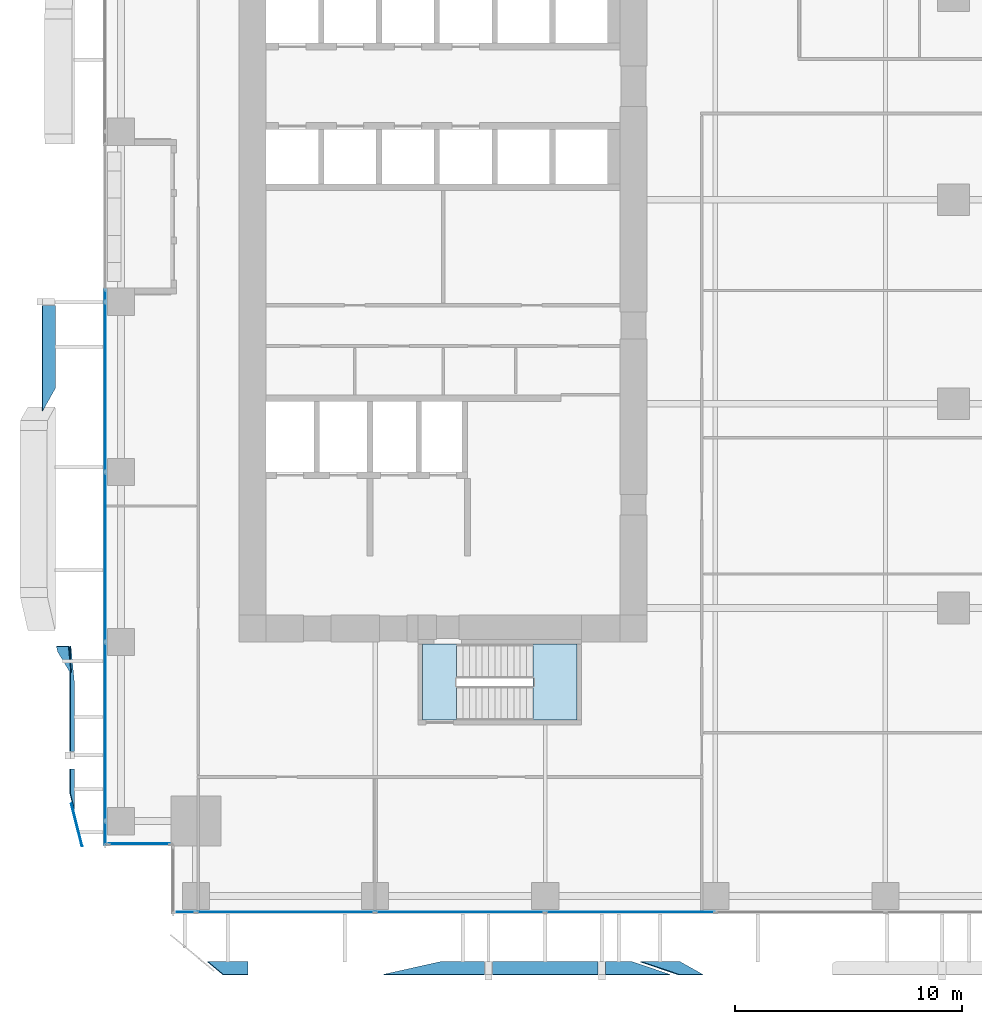
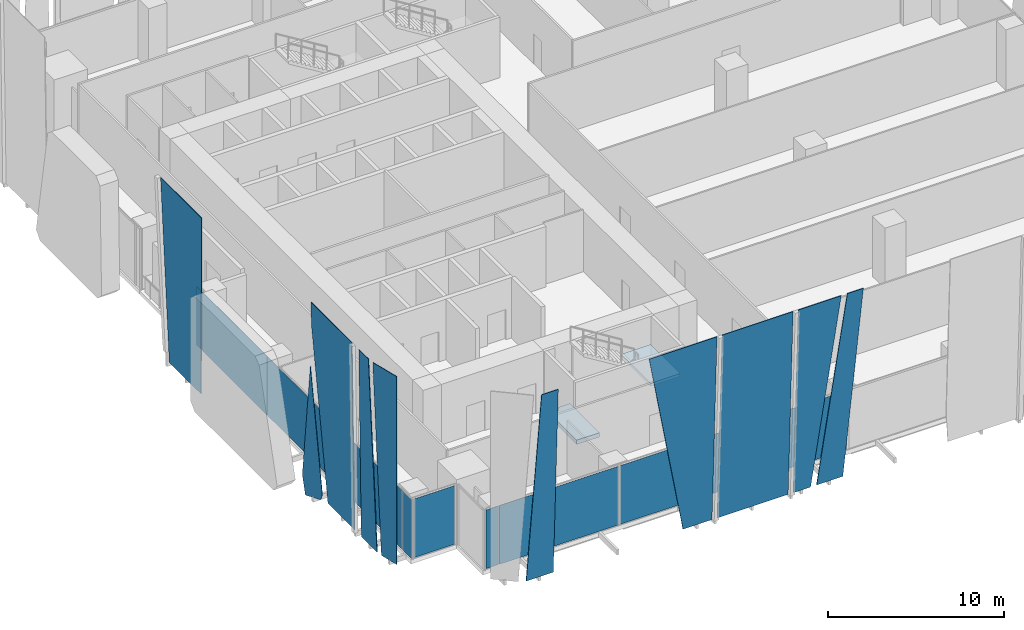
# One storey, part 24 of 37: 20 plates, 2 slabs, 4 elements without a shape of their own.
"""IFC4 building model written with IfcOpenShell, lengths in metres."""

from ifc_helpers import new_model, si_unit, direction, frame, origin, origin_2d, place, context, subcontext, project, spatial, polyline, rectangle, outline, extrude, source, transform, mapped, material, layer, layer_set, type_object, element, aggregate, save


model = new_model("IFC4")

# Units and contexts
model_context = context("Model", 3, precision=1e-05, world=origin(), true_north=direction((0.0, 1.0)))
body_context = subcontext(model_context, "Body", "Model", "MODEL_VIEW")
ifc_project = project(units=[si_unit("LENGTHUNIT", "METRE"), si_unit("AREAUNIT", "SQUARE_METRE"), si_unit("VOLUMEUNIT", "CUBIC_METRE"), si_unit("PLANEANGLEUNIT", "RADIAN"), si_unit("MASSUNIT", "GRAM", prefix="KILO")], contexts=[model_context])

# Site, building, storey
site_placement = place(None, origin())
site = spatial("IfcSite", under=ifc_project, at=site_placement, CompositionType="ELEMENT")
building_placement = place(site_placement, origin())
building = spatial("IfcBuilding", under=site, at=building_placement, Name="Khomas Fold Tower", CompositionType="ELEMENT")
storey_placement = place(building_placement, frame((0.0, 0.0, 60.0)))
storey = spatial("IfcBuildingStorey", under=building, at=storey_placement, Name="L12", CompositionType="ELEMENT", Elevation=60.0)

# Plates
ifc_material_1 = material(Name="Clear laminated glass", Category="glass")
ifc_layer_1 = layer(ifc_material_1, 0.0400390625)
ifc_layer_set_1 = layer_set([ifc_layer_1], Name="Clear laminated glass")
plate_type_1 = type_object("IfcPlateType", Name="SK-Clear laminated glass leaf", PredefinedType="SHEET", material=ifc_layer_set_1)
plate_1_placement = place(storey_placement, frame((6.39990234375, -2.08251953125, 0.0), z_axis=(0.0, 0.99904235518, 0.043753543365), x_axis=(-1.0, 0.0, 0.0)))
element("IfcPlate", 1, at=plate_1_placement, inside=storey, type_object=plate_type_1, Name="OUTER SKIN glass L12 SG098-1", PredefinedType="SHEET", context=body_context, shape_type="SweptSolid", body=[
    extrude(outline(polyline([(0.0, 0.0), (1.78076171875, 0.0), (1.0947265625, 13.062558119247585), (0.0, 13.062558119247585), (0.0, 0.0)])), origin(), (0.0, 0.0, -1.0), 0.0400390625),
])
plate_2_placement = place(storey_placement, frame((25.4267578125, -2.08251953125, 0.0), z_axis=(0.0, 0.99904235518, 0.043753543365), x_axis=(-1.0, 0.0, 0.0)))
element("IfcPlate", 2, at=plate_2_placement, inside=storey, type_object=plate_type_1, Name="OUTER SKIN glass L12 SG102-3", PredefinedType="SHEET", context=body_context, shape_type="SweptSolid", body=[
    extrude(outline(polyline([(0.0, 0.0), (1.718017578125, 0.0), (0.029296875, 13.062558119247587), (-1.022216796875, 13.062558119247587), (0.0, 0.0)])), origin(), (0.0, 0.0, -1.0), 0.0400390625),
])
plate_3_placement = place(storey_placement, frame((14.9296875, -2.08251953125, 0.0), z_axis=(0.0, 0.99904235518, 0.043753543365), x_axis=(-0.191972378581, -0.042939741855, 0.98046049611)))
element("IfcPlate", 3, at=plate_3_placement, inside=storey, type_object=plate_type_1, Name="OUTER SKIN glass L12 SG100-4", PredefinedType="SHEET", context=body_context, shape_type="SweptSolid", body=[
    extrude(outline(polyline([(0.0, 0.0), (13.310122008900128, 4.440892098500626e-16), (12.454776327967345, 4.3726943372036855), (-0.36482250851401543, 1.865043984701013), (0.0, 0.0)])), origin(), (0.0, 0.0, -1.0), 0.0400390625),
])
plate_4_placement = place(storey_placement, frame((17.169921875, -2.08251953125, 0.0), z_axis=(0.0, 0.99904235518, 0.043753543365), x_axis=(0.0, -0.043753543365, 0.99904235518)))
element("IfcPlate", 4, at=plate_4_placement, inside=storey, type_object=plate_type_1, Name="OUTER SKIN glass L12 SG101-6", PredefinedType="SHEET", context=body_context, shape_type="SweptSolid", body=[
    extrude(outline(polyline([(0.0, 0.0), (13.062558119247587, 0.0), (13.062558119247587, 4.66015625), (0.0, 4.66015625), (0.0, 0.0)])), origin(), (0.0, 0.0, -1.0), 0.0400390625),
])
plate_5_placement = place(storey_placement, frame((23.30517578125, -2.08251953125, 0.0), z_axis=(0.0, 0.99904235518, 0.043753543365), x_axis=(-1.0, 0.0, 0.0)))
element("IfcPlate", 5, at=plate_5_placement, inside=storey, type_object=plate_type_1, Name="OUTER SKIN glass L12 SG102-8", PredefinedType="SHEET", context=body_context, shape_type="SweptSolid", body=[
    extrude(outline(polyline([(0.0, 0.0), (1.13525390625, 0.0), (1.13525390625, 13.062558119247585), (-1.68896484375, 13.062558119247585), (0.0, 0.0)])), origin(), (0.0, 0.0, -1.0), 0.0400390625),
])
plate_6_placement = place(storey_placement, frame((-1.254638671875, 6.39990234375, 0.0), z_axis=(0.999913527075, 0.0, 0.013150603512), x_axis=(0.0, -1.0, 0.0)))
element("IfcPlate", 6, at=plate_6_placement, inside=storey, type_object=plate_type_1, Name="OUTER SKIN glass L12 WG098-1", PredefinedType="SHEET", context=body_context, shape_type="SweptSolid", body=[
    extrude(outline(polyline([(0.0, 0.0), (1.78076171875, 0.0), (1.0947265625, -13.051177401611568), (0.0, -13.051177401611568), (0.0, 0.0)])), origin(), (0.0, 0.0, -1.0), 0.0400390625),
])
plate_7_placement = place(storey_placement, frame((-1.376220703125, 4.904541015625, 13.050048828125), z_axis=(0.970129116395, 0.242589153705, 5.311545e-06), x_axis=(0.01312734053, -0.052475188216, -0.998535942043)))
element("IfcPlate", 7, at=plate_7_placement, inside=storey, type_object=plate_type_1, Name="OUTER SKIN glass L12 WG098-2", PredefinedType="SHEET", context=body_context, shape_type="SweptSolid", body=[
    extrude(outline(polyline([(0.0, 0.0), (13.069182869661127, 0.0), (13.137136741867256, -1.2544195078217437), (0.10619394156444673, -1.9603261212476633), (0.0, 0.0)])), origin(), (0.0, 0.0, -1.0), 0.0400390625),
])
plate_8_placement = place(storey_placement, frame((-1.254638671875, 10.20458984375, 0.0), z_axis=(0.999913521121, -3.630816e-06, 0.013151055681), x_axis=(-3.630502e-06, -0.999999999993, -4.7749e-08)))
element("IfcPlate", 8, at=plate_8_placement, inside=storey, type_object=plate_type_1, Name="OUTER SKIN glass L12 WG099-4", PredefinedType="SHEET", context=body_context, shape_type="SweptSolid", body=[
    extrude(outline(polyline([(0.0, 0.0), (3.0346679687299973, -2.0081748074285418e-23), (3.0346679687085687, -13.051177401610234), (-1.625488281260714, -13.051177401610234), (-1.6254882813621536, -11.53102604196463), (0.0, 0.0)])), origin(), (0.0, 0.0, -1.0), 0.0400390625),
])
plate_9_placement = place(storey_placement, frame((-1.99462890625, 11.561767578125, 0.00244140625), z_axis=(-0.855899223322, -0.51351029204, 0.061185778461), x_axis=(0.514474294115, -0.857505802134, 1.534219e-06)))
element("IfcPlate", 9, at=plate_9_placement, inside=storey, type_object=plate_type_1, Name="OUTER SKIN glass L12 WG099-5", PredefinedType="SHEET", context=body_context, shape_type="SweptSolid", body=[
    extrude(outline(polyline([(0.0, 0.0), (0.9609112616658309, 3.469446951953614e-18), (1.0078891432317691, 0.04501191390445132), (1.0252232275310489, 0.09760362541417716), (1.041719918053912, 0.15948604061176724), (1.0637015507310672, 0.24802471269793766), (1.074545820850679, 0.2947449708503985), (1.0864787055430158, 0.3869593856419874), (0.02968566915562087, 8.681057390938134), (-0.24150484592150526, 1.2917328566879998), (0.0, 0.0)])), origin(), (0.0, 0.0, -1.0), 0.0400390625),
])
plate_10_placement = place(storey_placement, frame((-2.08251953125, 23.208251953125, 0.0), z_axis=(0.99904235518, 0.0, 0.043753543365), x_axis=(-0.043620183951, -0.078016962923, 0.995997305743)))
element("IfcPlate", 10, at=plate_10_placement, inside=storey, type_object=plate_type_1, Name="OUTER SKIN glass L12 WG102-6", PredefinedType="SHEET", context=body_context, shape_type="SweptSolid", body=[
    extrude(outline(polyline([(0.0, 0.0), (13.102494106029372, -2.220446049250313e-16), (12.740179977921429, -4.629888072963503), (-0.28256387816640377, -3.610786960488569), (0.0, 0.0)])), origin(), (0.0, 0.0, -1.0), 0.0400390625),
])

# Curtain wall, plates
ifc_material_2 = material(Name="Aluminium framed double glazing", Category="aluminium")
curtain_wall_type = type_object("IfcCurtainWallType", Name="SK-Unitised clear-glass wall, growing floors CW1", PredefinedType="NOTDEFINED", material=ifc_material_2)
curtain_wall_1_placement = place(storey_placement, origin())
curtain_wall_1 = element("IfcCurtainWall", 11, at=curtain_wall_1_placement, inside=storey, type_object=curtain_wall_type, Name="CW1 run L12 00-0", PredefinedType="NOTDEFINED")
ifc_material_3 = material(Name="Clear double glazed unit")
ifc_layer_2 = layer(ifc_material_3, 0.031982421875)
ifc_layer_set_2 = layer_set([ifc_layer_2], Name="Clear double glazed unit")
plate_type_2 = type_object("IfcPlateType", Name="SK-Unitised clear-glass wall, growing floors glass panel CW1-P", PredefinedType="CURTAIN_PANEL", material=ifc_layer_set_2)
shared_shape_1 = source(origin(), body_context, "Body", "SweptSolid", [
    extrude(rectangle(XDim=0.81005859375, YDim=0.031982421875, at=origin_2d()), origin(), (0.0, 0.0, 1.0), 4.080078125),
])
plate_11_placement = place(storey_placement, frame((3.6650390625, 0.10009765625, 0.0), z_axis=(0.0, 0.0, 1.0), x_axis=(1.0, 0.0, 0.0)))
plate_11 = element("IfcPlate", 12, at=plate_11_placement, type_object=plate_type_2, Name="CW1 glass panel 1", PredefinedType="CURTAIN_PANEL", context=body_context, shape_type="MappedRepresentation", body=[
    mapped(shared_shape_1, transform((0.0, 0.0, 0.0))),
])
shared_shape_2 = source(origin(), body_context, "Body", "SweptSolid", [
    extrude(rectangle(XDim=7.840087890625, YDim=0.031982421875, at=origin_2d()), origin(), (0.0, 0.0, 1.0), 4.080078125),
])
plate_12_placement = place(storey_placement, frame((8.050048828125, 0.10009765625, 0.0), z_axis=(0.0, 0.0, 1.0), x_axis=(1.0, 0.0, 0.0)))
plate_12 = element("IfcPlate", 13, at=plate_12_placement, type_object=plate_type_2, Name="CW1 glass panel 2", PredefinedType="CURTAIN_PANEL", context=body_context, shape_type="MappedRepresentation", body=[
    mapped(shared_shape_2, transform((0.0, 0.0, 0.0))),
])

# Curtain wall, plate
curtain_wall_2_placement = place(storey_placement, origin())
curtain_wall_2 = element("IfcCurtainWall", 14, at=curtain_wall_2_placement, inside=storey, type_object=curtain_wall_type, Name="CW1 run L12 09-1", PredefinedType="NOTDEFINED")
plate_13_placement = place(storey_placement, frame((0.10009765625, 8.050048828125, 0.0), z_axis=(0.0, 0.0, 1.0), x_axis=(0.0, -1.0, 0.0)))
plate_13 = element("IfcPlate", 15, at=plate_13_placement, type_object=plate_type_2, Name="CW1 glass panel 4", PredefinedType="CURTAIN_PANEL", context=body_context, shape_type="MappedRepresentation", body=[
    mapped(shared_shape_2, transform((0.0, 0.0, 0.0))),
])

# Plate
shared_shape_3 = source(origin(), body_context, "Body", "SweptSolid", [
    extrude(rectangle(XDim=7.43994140625, YDim=0.031982421875, at=origin_2d()), origin(), (0.0, 0.0, 1.0), 4.080078125),
])
plate_14_placement = place(storey_placement, frame((15.75, 0.10009765625, 0.0), z_axis=(0.0, 0.0, 1.0), x_axis=(1.0, 0.0, 0.0)))
plate_14 = element("IfcPlate", 16, at=plate_14_placement, type_object=plate_type_2, Name="CW1 glass panel 3", PredefinedType="CURTAIN_PANEL", context=body_context, shape_type="MappedRepresentation", body=[
    mapped(shared_shape_3, transform((0.0, 0.0, 0.0))),
])

plate_15_placement = place(storey_placement, frame((23.25, 0.10009765625, 0.0), z_axis=(0.0, 0.0, 1.0), x_axis=(1.0, 0.0, 0.0)))
plate_15 = element("IfcPlate", 17, at=plate_15_placement, type_object=plate_type_2, Name="CW1 glass panel 4", PredefinedType="CURTAIN_PANEL", context=body_context, shape_type="MappedRepresentation", body=[
    mapped(shared_shape_3, transform((0.0, 0.0, 0.0))),
])

aggregate(curtain_wall_1, [plate_11, plate_12, plate_14, plate_15])

plate_16_placement = place(storey_placement, frame((0.10009765625, 23.25, 0.0), z_axis=(0.0, 0.0, 1.0), x_axis=(0.0, -1.0, 0.0)))
plate_16 = element("IfcPlate", 18, at=plate_16_placement, type_object=plate_type_2, Name="CW1 glass panel 2", PredefinedType="CURTAIN_PANEL", context=body_context, shape_type="MappedRepresentation", body=[
    mapped(shared_shape_3, transform((0.0, 0.0, 0.0))),
])

plate_17_placement = place(storey_placement, frame((0.10009765625, 15.75, 0.0), z_axis=(0.0, 0.0, 1.0), x_axis=(0.0, -1.0, 0.0)))
plate_17 = element("IfcPlate", 19, at=plate_17_placement, type_object=plate_type_2, Name="CW1 glass panel 3", PredefinedType="CURTAIN_PANEL", context=body_context, shape_type="MappedRepresentation", body=[
    mapped(shared_shape_3, transform((0.0, 0.0, 0.0))),
])

shared_shape_4 = source(origin(), body_context, "Body", "SweptSolid", [
    extrude(rectangle(XDim=1.010009765625, YDim=0.031982421875, at=origin_2d()), origin(), (0.0, 0.0, 1.0), 4.080078125),
])
plate_18_placement = place(storey_placement, frame((0.10009765625, 3.56494140625, 0.0), z_axis=(0.0, 0.0, 1.0), x_axis=(0.0, -1.0, 0.0)))
plate_18 = element("IfcPlate", 20, at=plate_18_placement, type_object=plate_type_2, Name="CW1 glass panel 5", PredefinedType="CURTAIN_PANEL", context=body_context, shape_type="MappedRepresentation", body=[
    mapped(shared_shape_4, transform((0.0, 0.0, 0.0))),
])

# Curtain wall, plate
curtain_wall_3_placement = place(storey_placement, origin())
curtain_wall_3 = element("IfcCurtainWall", 21, at=curtain_wall_3_placement, inside=storey, type_object=curtain_wall_type, Name="CW1 corner return L12 10", PredefinedType="NOTDEFINED")
shared_shape_5 = source(origin(), body_context, "Body", "SweptSolid", [
    extrude(rectangle(XDim=2.679931640625, YDim=0.031982421875, at=origin_2d()), origin(), (0.0, 0.0, 1.0), 4.080078125),
])
plate_19_placement = place(storey_placement, frame((1.60009765625, 3.10009765625, 0.0), z_axis=(0.0, 0.0, 1.0), x_axis=(1.0, 0.0, 0.0)))
plate_19 = element("IfcPlate", 22, at=plate_19_placement, type_object=plate_type_2, Name="CW1 glass panel 1", PredefinedType="CURTAIN_PANEL", context=body_context, shape_type="MappedRepresentation", body=[
    mapped(shared_shape_5, transform((0.0, 0.0, 0.0))),
])
aggregate(curtain_wall_3, [plate_19])

# Plate
shared_shape_6 = source(origin(), body_context, "Body", "SweptSolid", [
    extrude(rectangle(XDim=0.510009765625, YDim=0.031982421875, at=origin_2d()), origin(), (0.0, 0.0, 1.0), 4.080078125),
])
plate_20_placement = place(storey_placement, frame((0.10009765625, 27.284912109375, 0.0), z_axis=(0.0, 0.0, 1.0), x_axis=(0.0, -1.0, 0.0)))
plate_20 = element("IfcPlate", 23, at=plate_20_placement, type_object=plate_type_2, Name="CW1 glass panel 1", PredefinedType="CURTAIN_PANEL", context=body_context, shape_type="MappedRepresentation", body=[
    mapped(shared_shape_6, transform((0.0, 0.0, 0.0))),
])

aggregate(curtain_wall_2, [plate_20, plate_16, plate_17, plate_13, plate_18])

# Stair, slab
ifc_material_4 = material(Name="Concrete C40/50", Category="concrete")
stair_type = type_object("IfcStairType", Name="Stair ST2", PredefinedType="HALF_TURN_STAIR", material=ifc_material_4)
stair_placement = place(storey_placement, origin())
stair = element("IfcStair", 24, at=stair_placement, inside=storey, type_object=stair_type, Name="L12 ST2", PredefinedType="HALF_TURN_STAIR")
ifc_material_5 = material(Name="Concrete C40/50", Category="concrete")
ifc_layer_3 = layer(ifc_material_5, 0.199951171875)
ifc_layer_set_3 = layer_set([ifc_layer_3], Name="Concrete C40/50")
slab_type_1 = type_object("IfcSlabType", Name="Stair landing 200", PredefinedType="LANDING", material=ifc_layer_set_3)
shared_shape_7 = source(origin(), body_context, "Body", "SweptSolid", [
    extrude(outline(polyline([(18.9599609375, 8.550048828125), (20.89990234375, 8.550048828125), (20.89990234375, 11.89990234375), (18.9599609375, 11.89990234375), (18.9599609375, 8.550048828125)])), origin(), (0.0, 0.0, 1.0), 0.199951171875),
])
slab_1_placement = place(storey_placement, frame((0.0, 0.0, 2.050048828125)))
slab_1 = element("IfcSlab", 25, at=slab_1_placement, type_object=slab_type_1, Name="ST2 landing 1", PredefinedType="LANDING", context=body_context, shape_type="MappedRepresentation", body=[
    mapped(shared_shape_7, transform((0.0, 0.0, 0.0))),
])
aggregate(stair, [slab_1])

# Slab
ifc_material_6 = material(Name="Concrete C40/50", Category="concrete")
ifc_layer_4 = layer(ifc_material_6, 0.300048828125)
ifc_layer_set_4 = layer_set([ifc_layer_4], Name="Concrete C40/50")
slab_type_2 = type_object("IfcSlabType", Name="Stair floor landing 300", PredefinedType="LANDING", material=ifc_layer_set_4)
shared_shape_8 = source(origin(), body_context, "Body", "SweptSolid", [
    extrude(outline(polyline([(15.60009765625, 8.550048828125), (14.10009765625, 8.550048828125), (14.10009765625, 11.89990234375), (15.60009765625, 11.89990234375), (15.60009765625, 8.550048828125)])), origin(), (0.0, 0.0, 1.0), 0.300048828125),
])
slab_2_placement = place(storey_placement, frame((0.0, 0.0, -0.300048828125)))
element("IfcSlab", 26, at=slab_2_placement, inside=storey, type_object=slab_type_2, Name="ST2 floor landing", PredefinedType="LANDING", context=body_context, shape_type="MappedRepresentation", body=[
    mapped(shared_shape_8, transform((0.0, 0.0, 0.0))),
])

save(model, "model.ifc")
